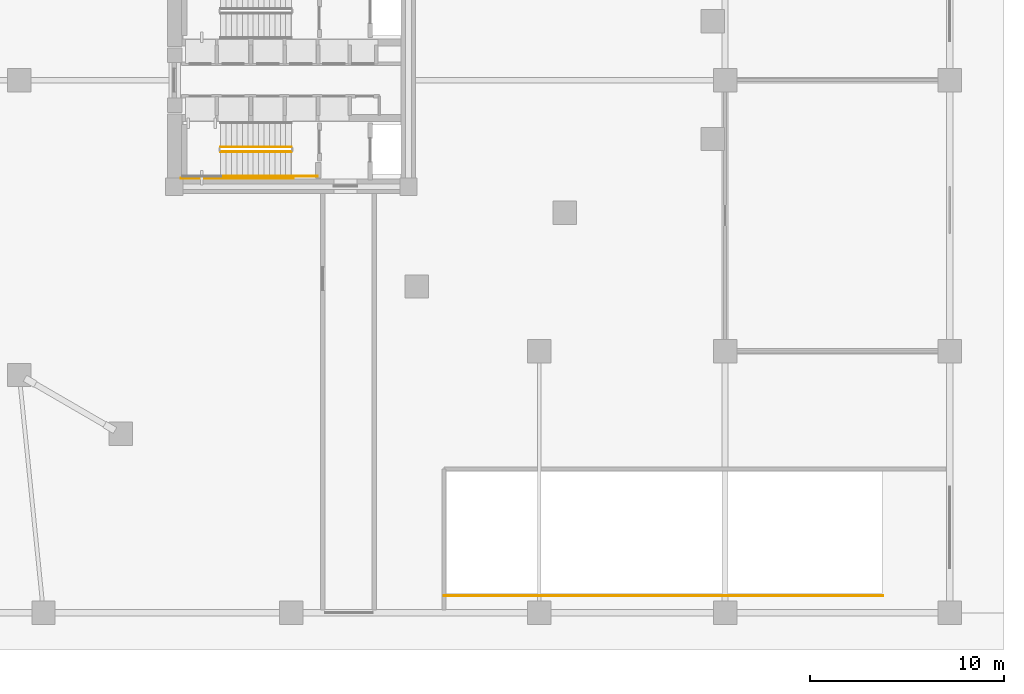
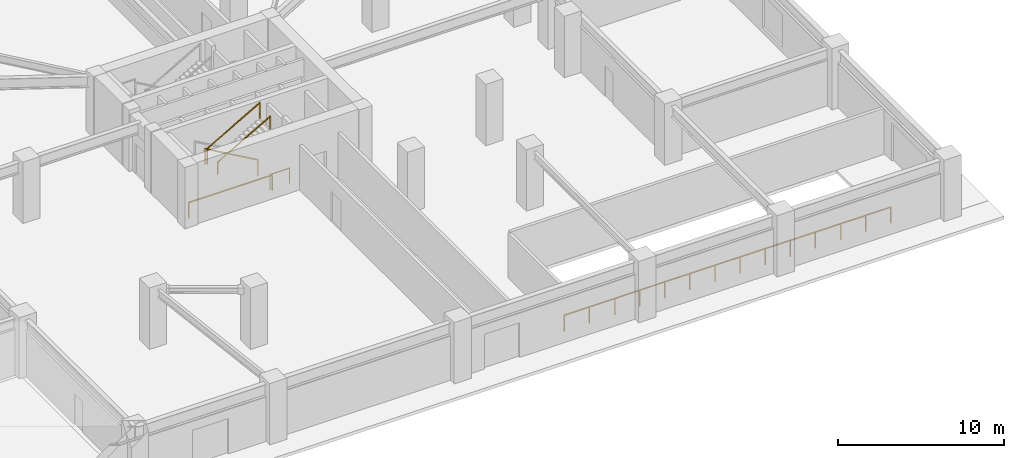
# One storey, part 11 of 18: 6 railings.
"""IFC4 building model written with IfcOpenShell, lengths in metres."""

import ifcopenshell
import ifcopenshell.guid

model = None  # the IFC model being written
_history = None  # IfcOwnerHistory: only IFC2X3 demands one
_inside = {}  # id of a spatial element -> (the spatial element, [elements in it])
_under = {}  # id of a project, library or spatial element -> (it, [spatial elements below it])
_declared = {}  # id of a project -> (the project, [libraries it declares])
_typed = {}  # id of a type object -> (the type object, [elements of that type])
_made_of = {}  # id of a material, layer set ... -> (it, [elements and type objects made of it])


def new_model(schema):
    """Start an empty IFC model of exactly this schema.

    Asked for "IFC4X3", IfcOpenShell would pick the latest addendum, in which some entities
    have other attributes; the version numbers below select the first issue.
    IFC2X3 requires an IfcOwnerHistory on every rooted entity: one is made here for all.
    """
    global model, _history
    if schema == "IFC4X3":
        model = ifcopenshell.file(schema_version=(4, 3, 0, 0))
    else:
        model = ifcopenshell.file(schema=schema)
    _inside.clear()
    _under.clear()
    _declared.clear()
    _typed.clear()
    _made_of.clear()
    _history = None
    if model.schema == "IFC2X3":
        org = make("IfcOrganization", Name="unknown")
        user = make(
            "IfcPersonAndOrganization",
            ThePerson=make("IfcPerson", FamilyName="unknown"),
            TheOrganization=org,
        )
        app = make(
            "IfcApplication",
            ApplicationDeveloper=org,
            Version="unknown",
            ApplicationFullName="unknown",
            ApplicationIdentifier="unknown",
        )
        _history = make(
            "IfcOwnerHistory",
            OwningUser=user,
            OwningApplication=app,
            ChangeAction="ADDED",
            CreationDate=0,
        )
    return model


def make(cls, **values):
    """One entity of the class cls with the attributes given. An attribute that is None is left unset."""
    return model.create_entity(
        cls, **{name: value for name, value in values.items() if value is not None}
    )


def rooted(cls, **values):
    """An entity with a GlobalId (a new one), such as an element, a storey or a relation."""
    return make(cls, GlobalId=ifcopenshell.guid.new(), OwnerHistory=_history, **values)


def si_unit(unit_type, name, prefix=None):
    """IfcSIUnit, for example si_unit("LENGTHUNIT", "METRE", prefix="MILLI")."""
    return make("IfcSIUnit", UnitType=unit_type, Prefix=prefix, Name=name)


def assignment(units):
    """IfcUnitAssignment: the units of a project."""
    return None if units is None else make("IfcUnitAssignment", Units=units)


def point(xyz):
    """IfcCartesianPoint."""
    return None if xyz is None else make("IfcCartesianPoint", Coordinates=xyz)


def direction(xyz):
    """IfcDirection."""
    return None if xyz is None else make("IfcDirection", DirectionRatios=xyz)


def frame(location, z_axis=None, x_axis=None):
    """IfcAxis2Placement3D, a coordinate frame: its origin and axes. An axis left out is left unset."""
    return make(
        "IfcAxis2Placement3D",
        Location=point(location),
        Axis=direction(z_axis),
        RefDirection=direction(x_axis),
    )


def frame_2d(location, x_axis=None):
    """IfcAxis2Placement2D, a coordinate frame in the plane: its origin and x axis."""
    return make(
        "IfcAxis2Placement2D", Location=point(location), RefDirection=direction(x_axis)
    )


def origin():
    """The frame at (0, 0, 0) with its axes left unset."""
    return frame((0.0, 0.0, 0.0))


def origin_2d():
    """The frame at (0, 0) in the plane with its x axis left unset."""
    return frame_2d((0.0, 0.0))


def place(relative_to, where):
    """IfcLocalPlacement: puts the frame where relative to a parent placement (None: the world)."""
    return make(
        "IfcLocalPlacement", PlacementRelTo=relative_to, RelativePlacement=where
    )


def context(
    kind, dimensions, precision=None, world=None, true_north=None, identifier=None
):
    """IfcGeometricRepresentationContext, for example the 3D "Model" context."""
    return make(
        "IfcGeometricRepresentationContext",
        ContextIdentifier=identifier,
        ContextType=kind,
        CoordinateSpaceDimension=dimensions,
        Precision=precision,
        WorldCoordinateSystem=world,
        TrueNorth=true_north,
    )


def subcontext(parent, identifier, kind, view, scale=None):
    """IfcGeometricRepresentationSubContext, for example "Body" below "Model"."""
    return make(
        "IfcGeometricRepresentationSubContext",
        ContextIdentifier=identifier,
        ContextType=kind,
        ParentContext=parent,
        TargetScale=scale,
        TargetView=view,
    )


def project(units=None, contexts=None):
    """IfcProject with its units and contexts."""
    return rooted(
        "IfcProject",
        Name="project",
        RepresentationContexts=contexts,
        UnitsInContext=assignment(units),
    )


def spatial(cls, under=None, at=None, **own):
    """A site, building, storey or space (cls), placed at a placement, below another one or the project."""
    s = rooted(cls, ObjectPlacement=at, **own)
    if under is not None:
        _under.setdefault(under.id(), (under, []))[1].append(s)
    return s


def profile(cls, at=None, kind="AREA", **sizes):
    """A parametric profile (cls). Its sizes go by their IFC names, for example OverallWidth=200.0."""
    return make(cls, ProfileType=kind, Position=at, **sizes)


def rectangle(**sizes):
    """IfcRectangleProfileDef."""
    return profile("IfcRectangleProfileDef", **sizes)


def extrude(swept, where, along, depth):
    """IfcExtrudedAreaSolid: the profile swept, set in the frame where, extruded along a direction by depth."""
    return make(
        "IfcExtrudedAreaSolid",
        SweptArea=swept,
        Position=where,
        ExtrudedDirection=direction(along),
        Depth=depth,
    )


def shape(context_of_items, identifier, shape_type, items):
    """IfcShapeRepresentation: the items that make up one representation, for example the "Body"."""
    return make(
        "IfcShapeRepresentation",
        ContextOfItems=context_of_items,
        RepresentationIdentifier=identifier,
        RepresentationType=shape_type,
        Items=items,
    )


def material(Name=None, Category=None):
    """IfcMaterial."""
    return make("IfcMaterial", Name=Name, Category=Category)


def made_of(thing, what):
    """Note that an element or type object is made of a material, layer set ...; save() writes the relation."""
    if what is not None:
        _made_of.setdefault(what.id(), (what, []))[1].append(thing)
    return thing


def type_object(cls, material=None, **own):
    """A type object (cls), such as IfcWallType, which elements share."""
    return made_of(rooted(cls, **own), material)


def element(
    cls,
    number,
    at=None,
    inside=None,
    cuts=None,
    type_object=None,
    material=None,
    context=None,
    identifier="Body",
    shape_type=None,
    held_by="IfcProductDefinitionShape",
    body=None,
    shapes=None,
    **own,
):
    """One element of the class cls, such as IfcWall. Its Tag is "e" and its number.

    at: its placement. inside: the storey or other place that contains it. cuts: it is an
    opening in that element (IfcRelVoidsElement). A single representation is given by context,
    identifier, shape_type and body (its items); several are given by shapes. held_by: the class
    of the entity that holds the representations. save() writes the other relations.
    """
    e = rooted(cls, Tag="e%d" % number, ObjectPlacement=at, **own)
    if body is not None:
        shapes = [shape(context, identifier, shape_type, body)]
    if shapes is not None:
        e.Representation = make(held_by, Representations=shapes)
    if inside is not None:
        _inside.setdefault(inside.id(), (inside, []))[1].append(e)
    if cuts is not None:
        rooted(
            "IfcRelVoidsElement", RelatingBuildingElement=cuts, RelatedOpeningElement=e
        )
    if type_object is not None:
        _typed.setdefault(type_object.id(), (type_object, []))[1].append(e)
    return made_of(e, material)


def aggregate(whole, parts):
    """IfcRelAggregates: a whole, such as a stair, and the parts it consists of."""
    return rooted("IfcRelAggregates", RelatingObject=whole, RelatedObjects=parts)


def save(model, path):
    """Write the relations noted so far, then the file.

    IfcRelAggregates (storeys below a building ...), IfcRelContainedInSpatialStructure (elements
    in a storey), IfcRelDefinesByType, IfcRelAssociatesMaterial and IfcRelDeclares: one each for
    every whole, place, type object, material and project.
    """
    for whole, parts in _under.values():
        aggregate(whole, parts)
    for where, things in _inside.values():
        rooted(
            "IfcRelContainedInSpatialStructure",
            RelatedElements=things,
            RelatingStructure=where,
        )
    for kind, things in _typed.values():
        rooted("IfcRelDefinesByType", RelatedObjects=things, RelatingType=kind)
    for what, things in _made_of.values():
        rooted("IfcRelAssociatesMaterial", RelatedObjects=things, RelatingMaterial=what)
    for by, libraries in _declared.values():
        rooted("IfcRelDeclares", RelatingContext=by, RelatedDefinitions=libraries)
    model.write(path)


model = new_model("IFC4")

# Units and contexts
model_context = context("Model", 3, precision=1e-05, world=origin(), true_north=direction((0.0, 1.0)))
body_context = subcontext(model_context, "Body", "Model", "MODEL_VIEW")
ifc_project = project(units=[si_unit("LENGTHUNIT", "METRE"), si_unit("AREAUNIT", "SQUARE_METRE"), si_unit("VOLUMEUNIT", "CUBIC_METRE"), si_unit("PLANEANGLEUNIT", "RADIAN"), si_unit("MASSUNIT", "GRAM", prefix="KILO")], contexts=[model_context])

# Site, building, storey
site_placement = place(None, origin())
site = spatial("IfcSite", under=ifc_project, at=site_placement, CompositionType="ELEMENT")
building_placement = place(site_placement, origin())
building = spatial("IfcBuilding", under=site, at=building_placement, Name="Yunling Apex Tower", CompositionType="ELEMENT")
storey_placement = place(building_placement, origin())
storey = spatial("IfcBuildingStorey", under=building, at=storey_placement, Name="L01", CompositionType="ELEMENT", Elevation=0.0)

# Railings
ifc_material_1 = material(Name="Steel Q355B", Category="steel")
railing_type_1 = type_object("IfcRailingType", Name="RL-GRD-1150", PredefinedType="GUARDRAIL", material=ifc_material_1)
railing_1_placement = place(storey_placement, frame((-0.010009765625, -3.449951171875, 0.16064453125)))
element("IfcRailing", 1, at=railing_1_placement, inside=storey, type_object=railing_type_1, Name="L01 ST-2 stair guard 1", PredefinedType="GUARDRAIL", context=body_context, shape_type="SweptSolid", body=[
    extrude(rectangle(XDim=0.0439453125, YDim=0.0439453125, at=origin_2d()), origin(), (0.0, 0.0, 1.0), 1.14990234375),
    extrude(rectangle(XDim=0.0439453125, YDim=0.0439453125, at=origin_2d()), frame((-3.639892578125, 0.0, 2.08935546875)), (0.0, 0.0, 1.0), 1.14990234375),
    extrude(rectangle(XDim=0.050048828125, YDim=0.050048828125, at=origin_2d()), frame((-0.033203125, 0.0, 1.14404296875), z_axis=(-0.8672749571, 0.0, 0.497829437445), x_axis=(0.0, -1.0, 0.0)), (0.0, 0.0, 1.0), 4.120361328125),
])
railing_2_placement = place(storey_placement, frame((-3.64990234375, -3.699951171875, 2.41064453125)))
element("IfcRailing", 2, at=railing_2_placement, inside=storey, type_object=railing_type_1, Name="L01 ST-2 stair guard 4", PredefinedType="GUARDRAIL", context=body_context, shape_type="SweptSolid", body=[
    extrude(rectangle(XDim=0.0439453125, YDim=0.0439453125, at=origin_2d()), origin(), (0.0, 0.0, 1.0), 1.14990234375),
    extrude(rectangle(XDim=0.0439453125, YDim=0.0439453125, at=origin_2d()), frame((3.639892578125, 0.0, 2.08935546875)), (0.0, 0.0, 1.0), 1.14990234375),
    extrude(rectangle(XDim=0.050048828125, YDim=0.050048828125, at=origin_2d()), frame((0.033203125, 0.0, 1.14404296875), z_axis=(0.8672749571, 0.0, 0.497829437445), x_axis=(0.0, 1.0, 0.0)), (0.0, 0.0, 1.0), 4.120361328125),
])
railing_3_placement = place(storey_placement, frame((1.35009765625, -4.9599609375, 0.0)))
element("IfcRailing", 3, at=railing_3_placement, inside=storey, type_object=railing_type_1, Name="L01 ST-2 stair guard 6", PredefinedType="GUARDRAIL", context=body_context, shape_type="SweptSolid", body=[
    extrude(rectangle(XDim=0.0439453125, YDim=0.0439453125, at=origin_2d()), origin(), (0.0, 0.0, 1.0), 1.14990234375),
    extrude(rectangle(XDim=0.0439453125, YDim=0.0439453125, at=origin_2d()), frame((-1.360107421875, 0.0, 0.0)), (0.0, 0.0, 1.0), 1.14990234375),
    extrude(rectangle(XDim=0.050048828125, YDim=0.050048828125, at=origin_2d()), frame((-0.038330078125, 0.0, 1.125), z_axis=(-1.0, 0.0, 0.0), x_axis=(0.0, -1.0, 0.0)), (0.0, 0.0, 1.0), 1.283447265625),
])
railing_4_placement = place(storey_placement, frame((0.090087890625, -5.06005859375, 0.0)))
element("IfcRailing", 4, at=railing_4_placement, inside=storey, type_object=railing_type_1, Name="L01 ST-2 stair guard 7", PredefinedType="GUARDRAIL", context=body_context, shape_type="SweptSolid", body=[
    extrude(rectangle(XDim=0.0439453125, YDim=0.0439453125, at=origin_2d()), origin(), (0.0, 0.0, 1.0), 1.14990234375),
    extrude(rectangle(XDim=0.0439453125, YDim=0.0439453125, at=origin_2d()), frame((-5.7900390625, 0.0, 0.0)), (0.0, 0.0, 1.0), 1.14990234375),
    extrude(rectangle(XDim=0.050048828125, YDim=0.050048828125, at=origin_2d()), frame((-0.038330078125, 0.0, 1.125), z_axis=(-1.0, 0.0, 0.0), x_axis=(0.0, -1.0, 0.0)), (0.0, 0.0, 1.0), 5.71337890625),
])
railing_5_placement = place(storey_placement, frame((7.89990234375, -26.6201171875, 0.0)))
element("IfcRailing", 5, at=railing_5_placement, inside=storey, type_object=railing_type_1, Name="RL-VRMP-L01-S", PredefinedType="GUARDRAIL", context=body_context, shape_type="SweptSolid", body=[
    extrude(rectangle(XDim=0.0439453125, YDim=0.0439453125, at=origin_2d()), origin(), (0.0, 0.0, 1.0), 1.199951171875),
    extrude(rectangle(XDim=0.0439453125, YDim=0.0439453125, at=origin_2d()), frame((22.650146484375, 0.0, 0.0)), (0.0, 0.0, 1.0), 1.199951171875),
    extrude(rectangle(XDim=0.050048828125, YDim=0.050048828125, at=origin_2d()), frame((0.038330078125, 0.0, 1.1748046875), z_axis=(1.0, 0.0, 0.0), x_axis=(0.0, 1.0, 0.0)), (0.0, 0.0, 1.0), 22.573486328125),
    extrude(rectangle(XDim=0.0439453125, YDim=0.0439453125, at=origin_2d()), frame((1.742431640625, 0.0, 0.0)), (0.0, 0.0, 1.0), 1.14599609375),
    extrude(rectangle(XDim=0.0439453125, YDim=0.0439453125, at=origin_2d()), frame((3.484619140625, 0.0, 0.0)), (0.0, 0.0, 1.0), 1.14599609375),
    extrude(rectangle(XDim=0.0439453125, YDim=0.0439453125, at=origin_2d()), frame((5.22705078125, 0.0, 0.0)), (0.0, 0.0, 1.0), 1.14599609375),
    extrude(rectangle(XDim=0.0439453125, YDim=0.0439453125, at=origin_2d()), frame((6.96923828125, 0.0, 0.0)), (0.0, 0.0, 1.0), 1.14599609375),
    extrude(rectangle(XDim=0.0439453125, YDim=0.0439453125, at=origin_2d()), frame((8.711669921875, 0.0, 0.0)), (0.0, 0.0, 1.0), 1.14599609375),
    extrude(rectangle(XDim=0.0439453125, YDim=0.0439453125, at=origin_2d()), frame((10.453857421875, 0.0, 0.0)), (0.0, 0.0, 1.0), 1.14599609375),
    extrude(rectangle(XDim=0.0439453125, YDim=0.0439453125, at=origin_2d()), frame((12.1962890625, 0.0, 0.0)), (0.0, 0.0, 1.0), 1.14599609375),
    extrude(rectangle(XDim=0.0439453125, YDim=0.0439453125, at=origin_2d()), frame((13.9384765625, 0.0, 0.0)), (0.0, 0.0, 1.0), 1.14599609375),
    extrude(rectangle(XDim=0.0439453125, YDim=0.0439453125, at=origin_2d()), frame((15.680908203125, 0.0, 0.0)), (0.0, 0.0, 1.0), 1.14599609375),
    extrude(rectangle(XDim=0.0439453125, YDim=0.0439453125, at=origin_2d()), frame((17.423095703125, 0.0, 0.0)), (0.0, 0.0, 1.0), 1.14599609375),
    extrude(rectangle(XDim=0.0439453125, YDim=0.0439453125, at=origin_2d()), frame((19.16552734375, 0.0, 0.0)), (0.0, 0.0, 1.0), 1.14599609375),
    extrude(rectangle(XDim=0.0439453125, YDim=0.0439453125, at=origin_2d()), frame((20.90771484375, 0.0, 0.0)), (0.0, 0.0, 1.0), 1.14599609375),
])
ifc_material_2 = material(Name="Silver anodised aluminium", Category="aluminium")
railing_type_2 = type_object("IfcRailingType", Name="RL-HND-900", PredefinedType="HANDRAIL", material=ifc_material_2)
railing_6_placement = place(storey_placement, frame((-3.64990234375, -4.9599609375, 2.41064453125)))
element("IfcRailing", 6, at=railing_6_placement, inside=storey, type_object=railing_type_2, Name="L01 ST-2 stair handrail 2", PredefinedType="HANDRAIL", context=body_context, shape_type="SweptSolid", body=[
    extrude(rectangle(XDim=0.0439453125, YDim=0.0439453125, at=origin_2d()), origin(), (0.0, 0.0, 1.0), 0.919921875),
    extrude(rectangle(XDim=0.0439453125, YDim=0.0439453125, at=origin_2d()), frame((3.639892578125, 0.0, 2.08935546875)), (0.0, 0.0, 1.0), 0.919921875),
    extrude(rectangle(XDim=0.050048828125, YDim=0.050048828125, at=origin_2d()), frame((0.033203125, 0.0, 0.9140625), z_axis=(0.8672749571, 0.0, 0.497829437445), x_axis=(0.0, 1.0, 0.0)), (0.0, 0.0, 1.0), 4.120361328125),
])

save(model, "model.ifc")
